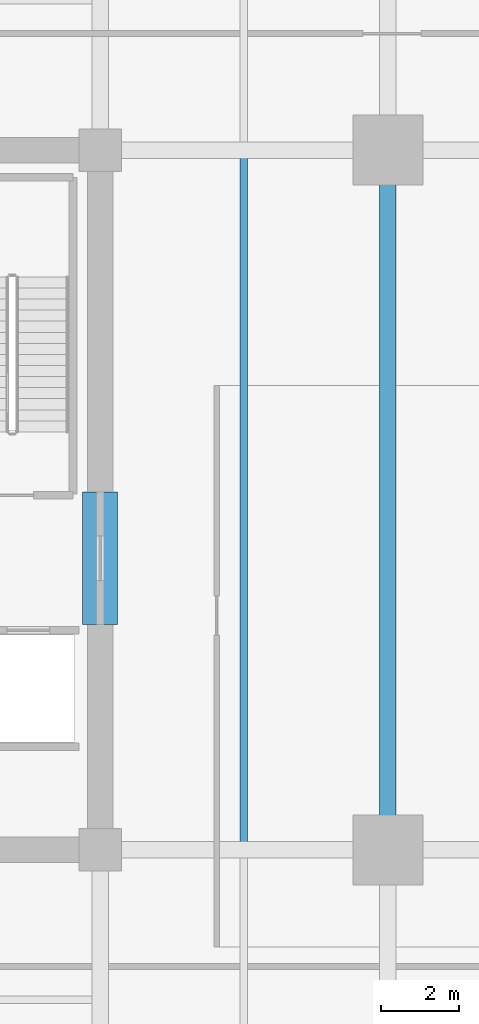
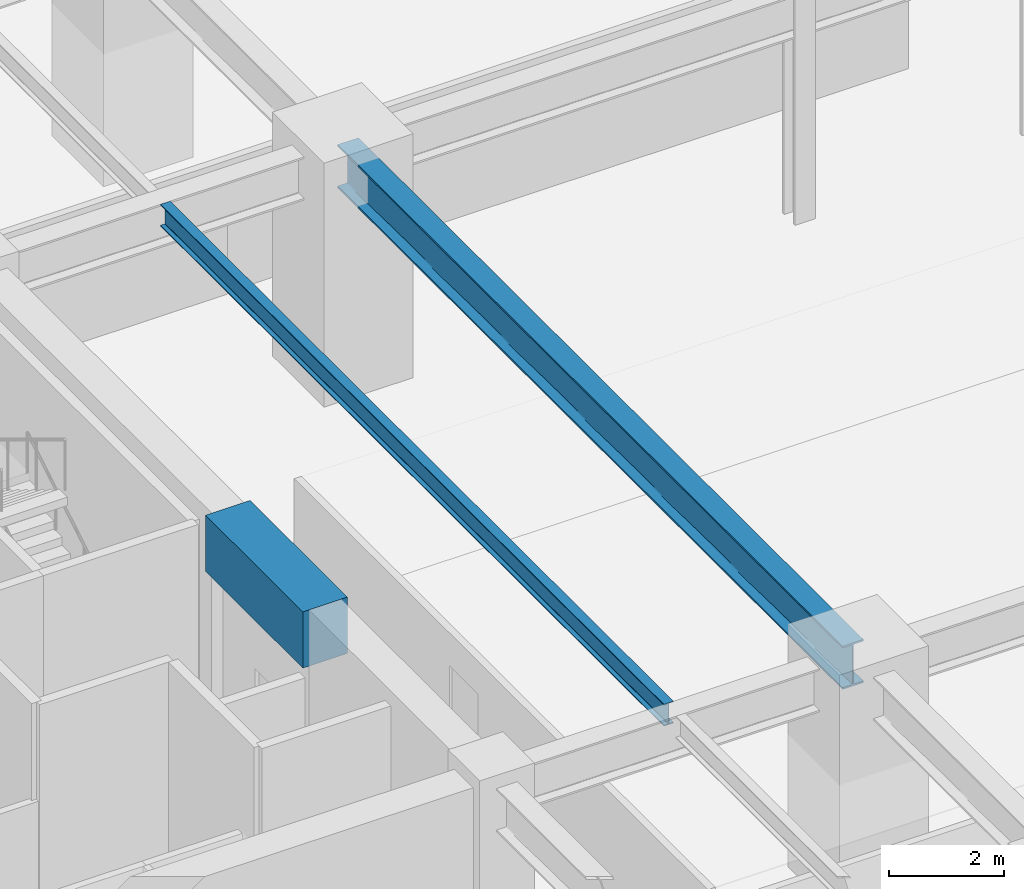
# One storey, part 12 of 43: 3 beams.
"""IFC4 building model written with IfcOpenShell, lengths in metres."""

from ifc_helpers import new_model, si_unit, direction, frame, origin, origin_2d, place, context, subcontext, project, spatial, rectangle, i_section, extrude, material, material_profile, profile_set, type_object, element, save


model = new_model("IFC4")

# Units and contexts
model_context = context("Model", 3, precision=1e-05, world=origin(), true_north=direction((0.0, 1.0)))
body_context = subcontext(model_context, "Body", "Model", "MODEL_VIEW")
ifc_project = project(units=[si_unit("LENGTHUNIT", "METRE"), si_unit("AREAUNIT", "SQUARE_METRE"), si_unit("VOLUMEUNIT", "CUBIC_METRE"), si_unit("PLANEANGLEUNIT", "RADIAN"), si_unit("MASSUNIT", "GRAM", prefix="KILO")], contexts=[model_context])

# Site, building, storey
site_placement = place(None, origin())
site = spatial("IfcSite", under=ifc_project, at=site_placement, CompositionType="ELEMENT")
building_placement = place(site_placement, origin())
building = spatial("IfcBuilding", under=site, at=building_placement, Name="Kovane Verandah Tower", CompositionType="ELEMENT")
storey_placement = place(building_placement, frame((0.0, 0.0, 11.199951171875)))
storey = spatial("IfcBuildingStorey", under=building, at=storey_placement, Name="L02", CompositionType="ELEMENT", Elevation=11.199951171875)

# Beams
ifc_material_1 = material(Name="Concrete C80/95", Category="concrete")
ifc_material_profile_1 = material_profile(ifc_material_1, rectangle(XDim=0.89990234375, YDim=1.199951171875, at=origin_2d()), Name="RCB900x1200")
ifc_profile_set_1 = profile_set([ifc_material_profile_1], Name="Concrete C80/95")
beam_type_1 = type_object("IfcBeamType", Name="BM-LINTEL-900x1200", PredefinedType="LINTEL", material=ifc_profile_set_1)
beam_1_placement = place(storey_placement, frame((51.0, 24.300048828125, 4.320068359375), z_axis=(0.0, 1.0, 0.0), x_axis=(-1.0, 0.0, 0.0)))
element("IfcBeam", 1, at=beam_1_placement, inside=storey, type_object=beam_type_1, Name="L02 Core Coupling Lintel CL-E", PredefinedType="LINTEL", context=body_context, shape_type="SweptSolid", body=[
    extrude(rectangle(XDim=0.89990234375, YDim=1.199951171875, at=origin_2d()), origin(), (0.0, 0.0, 1.0), 3.39990234375),
])
ifc_material_2 = material(Name="Steel S460", Category="steel")
ifc_material_profile_2 = material_profile(ifc_material_2, i_section(OverallWidth=0.42041015625, OverallDepth=0.9208984375, WebThickness=0.021484375, FlangeThickness=0.03662109375, FilletRadius=0.024169921875, at=origin_2d()), Name="UB914x419x388")
ifc_profile_set_2 = profile_set([ifc_material_profile_2], Name="Steel S460")
beam_type_2 = type_object("IfcBeamType", Name="BM-UB914x388", PredefinedType="BEAM", material=ifc_profile_set_2)
beam_2_placement = place(storey_placement, frame((58.39990234375, 18.679931640625, 4.45947265625), z_axis=(0.0, 1.0, 0.0), x_axis=(-1.0, 0.0, 0.0)))
element("IfcBeam", 2, at=beam_2_placement, inside=storey, type_object=beam_type_2, Name="L02 Primary Tower Girder G-RE2", PredefinedType="BEAM", context=body_context, shape_type="SweptSolid", body=[
    extrude(i_section(OverallWidth=0.42041015625, OverallDepth=0.9208984375, WebThickness=0.021484375, FlangeThickness=0.03662109375, FilletRadius=0.024169921875, at=origin_2d()), origin(), (0.0, 0.0, 1.0), 17.64013671875),
])
ifc_material_3 = material(Name="Steel S355", Category="steel")
ifc_material_profile_3 = material_profile(ifc_material_3, i_section(OverallWidth=0.19287109375, OverallDepth=0.46728515625, WebThickness=0.011474609375, FlangeThickness=0.01953125, FilletRadius=0.01025390625, at=origin_2d()), Name="UB457x191x98")
ifc_profile_set_3 = profile_set([ifc_material_profile_3], Name="Steel S355")
beam_type_3 = type_object("IfcBeamType", Name="JST-UB457x98", PredefinedType="JOIST", material=ifc_profile_set_3)
beam_3_placement = place(storey_placement, frame((54.699951171875, 18.708251953125, 4.6865234375), z_axis=(0.0, 1.0, 0.0), x_axis=(-1.0, 0.0, 0.0)))
element("IfcBeam", 3, at=beam_3_placement, inside=storey, type_object=beam_type_3, Name="L02 Secondary Composite Joist J-E1", PredefinedType="JOIST", context=body_context, shape_type="SweptSolid", body=[
    extrude(i_section(OverallWidth=0.19287109375, OverallDepth=0.46728515625, WebThickness=0.011474609375, FlangeThickness=0.01953125, FilletRadius=0.01025390625, at=origin_2d()), origin(), (0.0, 0.0, 1.0), 17.58349609375),
])

save(model, "model.ifc")
